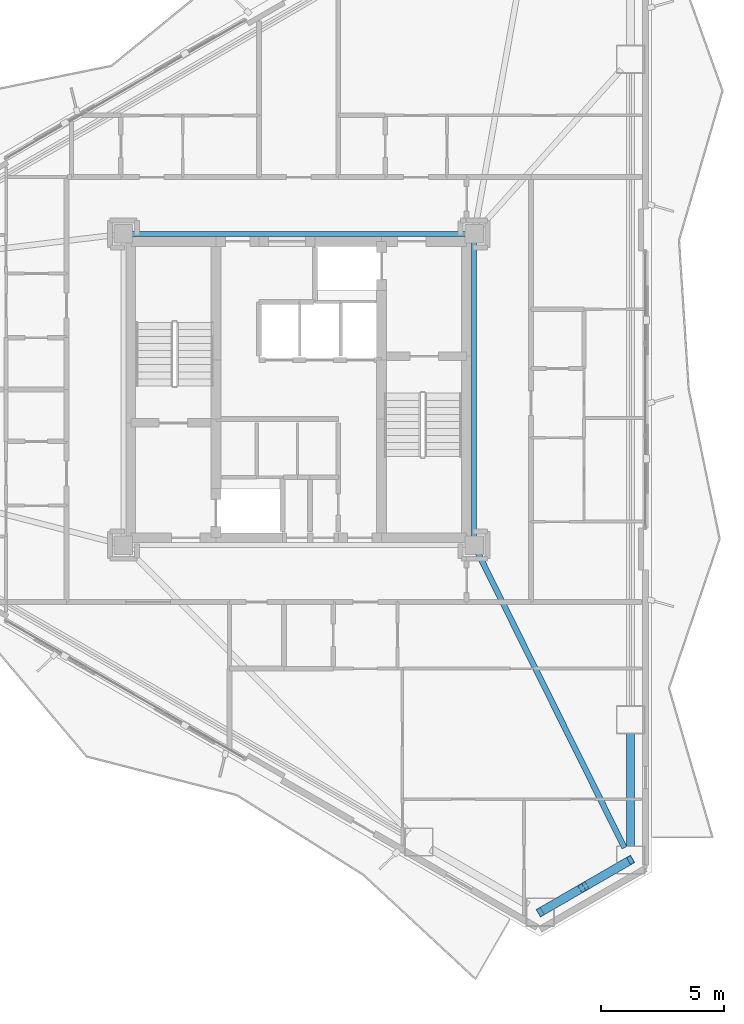
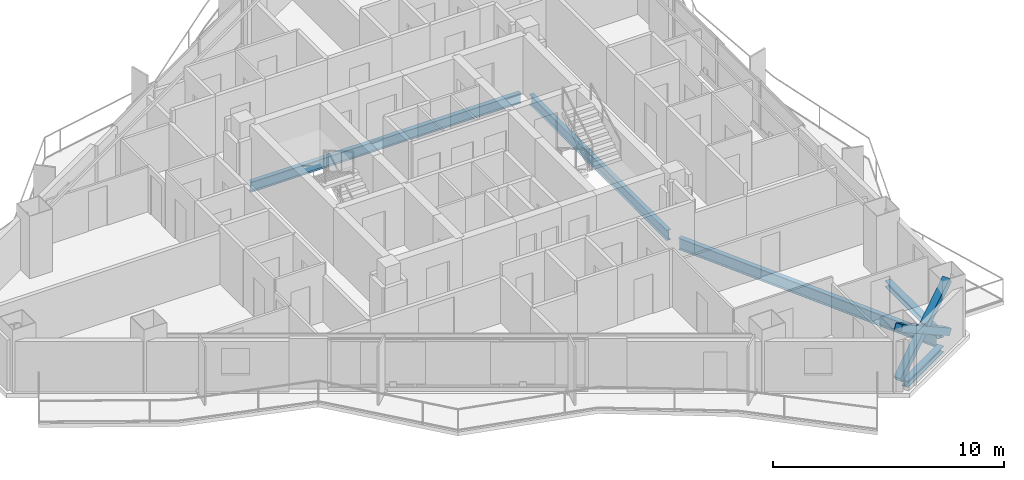
# One storey, part 7 of 22: 5 beams, 3 members.
"""IFC4 building model written with IfcOpenShell, lengths in metres."""

import ifcopenshell
import ifcopenshell.guid

model = None  # the IFC model being written
_history = None  # IfcOwnerHistory: only IFC2X3 demands one
_inside = {}  # id of a spatial element -> (the spatial element, [elements in it])
_under = {}  # id of a project, library or spatial element -> (it, [spatial elements below it])
_declared = {}  # id of a project -> (the project, [libraries it declares])
_typed = {}  # id of a type object -> (the type object, [elements of that type])
_made_of = {}  # id of a material, layer set ... -> (it, [elements and type objects made of it])


def new_model(schema):
    """Start an empty IFC model of exactly this schema.

    Asked for "IFC4X3", IfcOpenShell would pick the latest addendum, in which some entities
    have other attributes; the version numbers below select the first issue.
    IFC2X3 requires an IfcOwnerHistory on every rooted entity: one is made here for all.
    """
    global model, _history
    if schema == "IFC4X3":
        model = ifcopenshell.file(schema_version=(4, 3, 0, 0))
    else:
        model = ifcopenshell.file(schema=schema)
    _inside.clear()
    _under.clear()
    _declared.clear()
    _typed.clear()
    _made_of.clear()
    _history = None
    if model.schema == "IFC2X3":
        org = make("IfcOrganization", Name="unknown")
        user = make(
            "IfcPersonAndOrganization",
            ThePerson=make("IfcPerson", FamilyName="unknown"),
            TheOrganization=org,
        )
        app = make(
            "IfcApplication",
            ApplicationDeveloper=org,
            Version="unknown",
            ApplicationFullName="unknown",
            ApplicationIdentifier="unknown",
        )
        _history = make(
            "IfcOwnerHistory",
            OwningUser=user,
            OwningApplication=app,
            ChangeAction="ADDED",
            CreationDate=0,
        )
    return model


def make(cls, **values):
    """One entity of the class cls with the attributes given. An attribute that is None is left unset."""
    return model.create_entity(
        cls, **{name: value for name, value in values.items() if value is not None}
    )


def rooted(cls, **values):
    """An entity with a GlobalId (a new one), such as an element, a storey or a relation."""
    return make(cls, GlobalId=ifcopenshell.guid.new(), OwnerHistory=_history, **values)


def si_unit(unit_type, name, prefix=None):
    """IfcSIUnit, for example si_unit("LENGTHUNIT", "METRE", prefix="MILLI")."""
    return make("IfcSIUnit", UnitType=unit_type, Prefix=prefix, Name=name)


def assignment(units):
    """IfcUnitAssignment: the units of a project."""
    return None if units is None else make("IfcUnitAssignment", Units=units)


def point(xyz):
    """IfcCartesianPoint."""
    return None if xyz is None else make("IfcCartesianPoint", Coordinates=xyz)


def direction(xyz):
    """IfcDirection."""
    return None if xyz is None else make("IfcDirection", DirectionRatios=xyz)


def frame(location, z_axis=None, x_axis=None):
    """IfcAxis2Placement3D, a coordinate frame: its origin and axes. An axis left out is left unset."""
    return make(
        "IfcAxis2Placement3D",
        Location=point(location),
        Axis=direction(z_axis),
        RefDirection=direction(x_axis),
    )


def frame_2d(location, x_axis=None):
    """IfcAxis2Placement2D, a coordinate frame in the plane: its origin and x axis."""
    return make(
        "IfcAxis2Placement2D", Location=point(location), RefDirection=direction(x_axis)
    )


def origin():
    """The frame at (0, 0, 0) with its axes left unset."""
    return frame((0.0, 0.0, 0.0))


def origin_2d():
    """The frame at (0, 0) in the plane with its x axis left unset."""
    return frame_2d((0.0, 0.0))


def place(relative_to, where):
    """IfcLocalPlacement: puts the frame where relative to a parent placement (None: the world)."""
    return make(
        "IfcLocalPlacement", PlacementRelTo=relative_to, RelativePlacement=where
    )


def context(
    kind, dimensions, precision=None, world=None, true_north=None, identifier=None
):
    """IfcGeometricRepresentationContext, for example the 3D "Model" context."""
    return make(
        "IfcGeometricRepresentationContext",
        ContextIdentifier=identifier,
        ContextType=kind,
        CoordinateSpaceDimension=dimensions,
        Precision=precision,
        WorldCoordinateSystem=world,
        TrueNorth=true_north,
    )


def subcontext(parent, identifier, kind, view, scale=None):
    """IfcGeometricRepresentationSubContext, for example "Body" below "Model"."""
    return make(
        "IfcGeometricRepresentationSubContext",
        ContextIdentifier=identifier,
        ContextType=kind,
        ParentContext=parent,
        TargetScale=scale,
        TargetView=view,
    )


def project(units=None, contexts=None):
    """IfcProject with its units and contexts."""
    return rooted(
        "IfcProject",
        Name="project",
        RepresentationContexts=contexts,
        UnitsInContext=assignment(units),
    )


def spatial(cls, under=None, at=None, **own):
    """A site, building, storey or space (cls), placed at a placement, below another one or the project."""
    s = rooted(cls, ObjectPlacement=at, **own)
    if under is not None:
        _under.setdefault(under.id(), (under, []))[1].append(s)
    return s


def profile(cls, at=None, kind="AREA", **sizes):
    """A parametric profile (cls). Its sizes go by their IFC names, for example OverallWidth=200.0."""
    return make(cls, ProfileType=kind, Position=at, **sizes)


def hollow_rectangle(**sizes):
    """IfcRectangleHollowProfileDef."""
    return profile("IfcRectangleHollowProfileDef", **sizes)


def i_section(**sizes):
    """IfcIShapeProfileDef."""
    return profile("IfcIShapeProfileDef", **sizes)


def extrude(swept, where, along, depth):
    """IfcExtrudedAreaSolid: the profile swept, set in the frame where, extruded along a direction by depth."""
    return make(
        "IfcExtrudedAreaSolid",
        SweptArea=swept,
        Position=where,
        ExtrudedDirection=direction(along),
        Depth=depth,
    )


def shape(context_of_items, identifier, shape_type, items):
    """IfcShapeRepresentation: the items that make up one representation, for example the "Body"."""
    return make(
        "IfcShapeRepresentation",
        ContextOfItems=context_of_items,
        RepresentationIdentifier=identifier,
        RepresentationType=shape_type,
        Items=items,
    )


def material(Name=None, Category=None):
    """IfcMaterial."""
    return make("IfcMaterial", Name=Name, Category=Category)


def material_profile(
    of_material, cross_section, Name=None, Category=None, Priority=None
):
    """IfcMaterialProfile: a cross section and its material."""
    return make(
        "IfcMaterialProfile",
        Name=Name,
        Material=of_material,
        Profile=cross_section,
        Priority=Priority,
        Category=Category,
    )


def profile_set(profiles, Name=None, composite=None):
    """IfcMaterialProfileSet."""
    return make(
        "IfcMaterialProfileSet",
        Name=Name,
        MaterialProfiles=profiles,
        CompositeProfile=composite,
    )


def made_of(thing, what):
    """Note that an element or type object is made of a material, layer set ...; save() writes the relation."""
    if what is not None:
        _made_of.setdefault(what.id(), (what, []))[1].append(thing)
    return thing


def type_object(cls, material=None, **own):
    """A type object (cls), such as IfcWallType, which elements share."""
    return made_of(rooted(cls, **own), material)


def element(
    cls,
    number,
    at=None,
    inside=None,
    cuts=None,
    type_object=None,
    material=None,
    context=None,
    identifier="Body",
    shape_type=None,
    held_by="IfcProductDefinitionShape",
    body=None,
    shapes=None,
    **own,
):
    """One element of the class cls, such as IfcWall. Its Tag is "e" and its number.

    at: its placement. inside: the storey or other place that contains it. cuts: it is an
    opening in that element (IfcRelVoidsElement). A single representation is given by context,
    identifier, shape_type and body (its items); several are given by shapes. held_by: the class
    of the entity that holds the representations. save() writes the other relations.
    """
    e = rooted(cls, Tag="e%d" % number, ObjectPlacement=at, **own)
    if body is not None:
        shapes = [shape(context, identifier, shape_type, body)]
    if shapes is not None:
        e.Representation = make(held_by, Representations=shapes)
    if inside is not None:
        _inside.setdefault(inside.id(), (inside, []))[1].append(e)
    if cuts is not None:
        rooted(
            "IfcRelVoidsElement", RelatingBuildingElement=cuts, RelatedOpeningElement=e
        )
    if type_object is not None:
        _typed.setdefault(type_object.id(), (type_object, []))[1].append(e)
    return made_of(e, material)


def aggregate(whole, parts):
    """IfcRelAggregates: a whole, such as a stair, and the parts it consists of."""
    return rooted("IfcRelAggregates", RelatingObject=whole, RelatedObjects=parts)


def save(model, path):
    """Write the relations noted so far, then the file.

    IfcRelAggregates (storeys below a building ...), IfcRelContainedInSpatialStructure (elements
    in a storey), IfcRelDefinesByType, IfcRelAssociatesMaterial and IfcRelDeclares: one each for
    every whole, place, type object, material and project.
    """
    for whole, parts in _under.values():
        aggregate(whole, parts)
    for where, things in _inside.values():
        rooted(
            "IfcRelContainedInSpatialStructure",
            RelatedElements=things,
            RelatingStructure=where,
        )
    for kind, things in _typed.values():
        rooted("IfcRelDefinesByType", RelatedObjects=things, RelatingType=kind)
    for what, things in _made_of.values():
        rooted("IfcRelAssociatesMaterial", RelatedObjects=things, RelatingMaterial=what)
    for by, libraries in _declared.values():
        rooted("IfcRelDeclares", RelatingContext=by, RelatedDefinitions=libraries)
    model.write(path)


model = new_model("IFC4")

# Units and contexts
model_context = context("Model", 3, precision=1e-05, world=origin(), true_north=direction((0.0, 1.0)))
body_context = subcontext(model_context, "Body", "Model", "MODEL_VIEW")
ifc_project = project(units=[si_unit("LENGTHUNIT", "METRE"), si_unit("AREAUNIT", "SQUARE_METRE"), si_unit("VOLUMEUNIT", "CUBIC_METRE"), si_unit("PLANEANGLEUNIT", "RADIAN"), si_unit("MASSUNIT", "GRAM", prefix="KILO")], contexts=[model_context])

# Site, building, storey
site_placement = place(None, origin())
site = spatial("IfcSite", under=ifc_project, at=site_placement, CompositionType="ELEMENT")
building_placement = place(site_placement, origin())
building = spatial("IfcBuilding", under=site, at=building_placement, Name="Mersakhor Tower and Convention Hall", CompositionType="ELEMENT")
storey_placement = place(building_placement, frame((0.0, 0.0, 103.199951171875)))
storey = spatial("IfcBuildingStorey", under=building, at=storey_placement, Name="L28", CompositionType="ELEMENT", Elevation=103.199951171875)

# Beams
ifc_material_1 = material(Name="Steel S355", Category="steel")
ifc_material_profile_1 = material_profile(ifc_material_1, i_section(OverallWidth=0.2099609375, OverallDepth=0.53662109375, WebThickness=0.0107421875, FlangeThickness=0.017333984375, at=origin_2d()), Name="UB 533x210x101")
ifc_profile_set_1 = profile_set([ifc_material_profile_1], Name="Steel S355")
beam_type_1 = type_object("IfcBeamType", Name="BM-FB-533", PredefinedType="BEAM", material=ifc_profile_set_1)
beam_1_placement = place(storey_placement, frame((22.2548828125, 33.050048828125, -0.518310546875), z_axis=(1.0, 0.0, 0.0), x_axis=(0.0, 1.0, 0.0)))
element("IfcBeam", 1, at=beam_1_placement, inside=storey, type_object=beam_type_1, Name="L28 Core Ring Tie Beam CRB-2", PredefinedType="BEAM", context=body_context, shape_type="SweptSolid", body=[
    extrude(i_section(OverallWidth=0.2099609375, OverallDepth=0.53662109375, WebThickness=0.0107421875, FlangeThickness=0.017333984375, at=origin_2d()), origin(), (0.0, 0.0, 1.0), 13.490234375),
])
beam_2_placement = place(storey_placement, frame((36.10009765625, 32.695068359375, -0.518310546875), z_axis=(0.0, -1.0, 0.0), x_axis=(1.0, 0.0, 0.0)))
element("IfcBeam", 2, at=beam_2_placement, inside=storey, type_object=beam_type_1, Name="L28 Core Ring Tie Beam CRB-3", PredefinedType="BEAM", context=body_context, shape_type="SweptSolid", body=[
    extrude(i_section(OverallWidth=0.2099609375, OverallDepth=0.53662109375, WebThickness=0.0107421875, FlangeThickness=0.017333984375, at=origin_2d()), origin(), (0.0, 0.0, 1.0), 11.89013671875),
])
ifc_material_2 = material(Name="Steel S355", Category="steel")
ifc_material_profile_2 = material_profile(ifc_material_2, i_section(OverallWidth=0.22900390625, OverallDepth=0.6123046875, WebThickness=0.011962890625, FlangeThickness=0.01953125, at=origin_2d()), Name="UB 610x229x125")
ifc_profile_set_2 = profile_set([ifc_material_profile_2], Name="Steel S355")
beam_type_2 = type_object("IfcBeamType", Name="BM-PR-610", PredefinedType="BEAM", material=ifc_profile_set_2)
beam_3_placement = place(storey_placement, frame((36.258056640625, 20.132080078125, -0.55615234375), z_axis=(0.444984263658, -0.895538388399, 0.0), x_axis=(0.895538388399, 0.444984263658, 0.0)))
element("IfcBeam", 3, at=beam_3_placement, inside=storey, type_object=beam_type_2, Name="L28 Primary Floor Girder FG-4", PredefinedType="BEAM", context=body_context, shape_type="SweptSolid", body=[
    extrude(i_section(OverallWidth=0.22900390625, OverallDepth=0.6123046875, WebThickness=0.011962890625, FlangeThickness=0.01953125, at=origin_2d()), origin(), (0.0, 0.0, 1.0), 13.324951171875),
])
ifc_material_3 = material(Name="Steel S355", Category="steel")
ifc_material_profile_3 = material_profile(ifc_material_3, i_section(OverallWidth=0.30908203125, OverallDepth=0.320556640625, WebThickness=0.013916015625, FlangeThickness=0.021728515625, at=origin_2d()), Name="UC 305x305x137")
ifc_profile_set_3 = profile_set([ifc_material_profile_3], Name="Steel S355")
beam_type_3 = type_object("IfcBeamType", Name="BM-SPD-UC305", PredefinedType="SPANDREL", material=ifc_profile_set_3)
beam_4_placement = place(storey_placement, frame((42.4345703125, 12.8232421875, -0.41015625), z_axis=(0.0, -1.0, 0.0), x_axis=(1.0, 0.0, 0.0)))
element("IfcBeam", 4, at=beam_4_placement, inside=storey, type_object=beam_type_3, Name="L28 Perimeter Spandrel Beam SPB-07", PredefinedType="SPANDREL", context=body_context, shape_type="SweptSolid", body=[
    extrude(i_section(OverallWidth=0.30908203125, OverallDepth=0.320556640625, WebThickness=0.013916015625, FlangeThickness=0.021728515625, at=origin_2d()), origin(), (0.0, 0.0, 1.0), 4.566162109375),
])
beam_5_placement = place(storey_placement, frame((41.9541015625, 7.424560546875, -0.41015625), z_axis=(-0.866052319632, -0.499953377486, 0.0), x_axis=(0.499953377486, -0.866052319632, 0.0)))
element("IfcBeam", 5, at=beam_5_placement, inside=storey, type_object=beam_type_3, Name="L28 Perimeter Spandrel Beam SPB-08", PredefinedType="SPANDREL", context=body_context, shape_type="SweptSolid", body=[
    extrude(i_section(OverallWidth=0.30908203125, OverallDepth=0.320556640625, WebThickness=0.013916015625, FlangeThickness=0.021728515625, at=origin_2d()), origin(), (0.0, 0.0, 1.0), 3.111572265625),
])

# Members
ifc_material_4 = material(Name="Steel S460", Category="steel")
ifc_material_profile_4 = material_profile(ifc_material_4, hollow_rectangle(XDim=0.35009765625, YDim=0.35009765625, WallThickness=0.02001953125, at=origin_2d()), Name="SHS 350x350x20")
ifc_profile_set_4 = profile_set([ifc_material_profile_4], Name="Steel S460")
member_type = type_object("IfcMemberType", Name="MB-BRC-SHS350", PredefinedType="BRACE", material=ifc_profile_set_4)
member_1_placement = place(storey_placement, frame((42.4345703125, 7.701904296875, 0.150146484375), z_axis=(-0.725633725484, -0.418933054415, 0.545848689986), x_axis=(0.49998946241, -0.866031487579, 0.0)))
element("IfcMember", 6, at=member_1_placement, inside=storey, type_object=member_type, Name="L28 Chamfer Braced Frame Diagonal CB-2A", PredefinedType="BRACE", context=body_context, shape_type="SweptSolid", body=[
    extrude(hollow_rectangle(XDim=0.35009765625, YDim=0.35009765625, WallThickness=0.02001953125, at=origin_2d()), origin(), (0.0, 0.0, 1.0), 5.0380859375),
])
member_2_placement = place(storey_placement, frame((38.77880859375, 5.59130859375, 0.150146484375), z_axis=(0.725635037856, 0.418918980369, 0.545857746783), x_axis=(-0.499976186015, 0.866039152359, 0.0)))
element("IfcMember", 7, at=member_2_placement, inside=storey, type_object=member_type, Name="L28 Chamfer Braced Frame Diagonal CB-2B Lower Half", PredefinedType="BRACE", context=body_context, shape_type="SweptSolid", body=[
    extrude(hollow_rectangle(XDim=0.35009765625, YDim=0.35009765625, WallThickness=0.02001953125, at=origin_2d()), origin(), (0.0, 0.0, 1.0), 2.319580078125),
])
member_3_placement = place(storey_placement, frame((40.751220703125, 6.730224609375, 1.6337890625), z_axis=(0.725643177862, 0.418862922102, 0.545889943955), x_axis=(-0.499921796684, 0.866070549782, 0.0)))
element("IfcMember", 8, at=member_3_placement, inside=storey, type_object=member_type, Name="L28 Chamfer Braced Frame Diagonal CB-2B Upper Half", PredefinedType="BRACE", context=body_context, shape_type="SweptSolid", body=[
    extrude(hollow_rectangle(XDim=0.35009765625, YDim=0.35009765625, WallThickness=0.02001953125, at=origin_2d()), origin(), (0.0, 0.0, 1.0), 2.31982421875),
])

save(model, "model.ifc")
